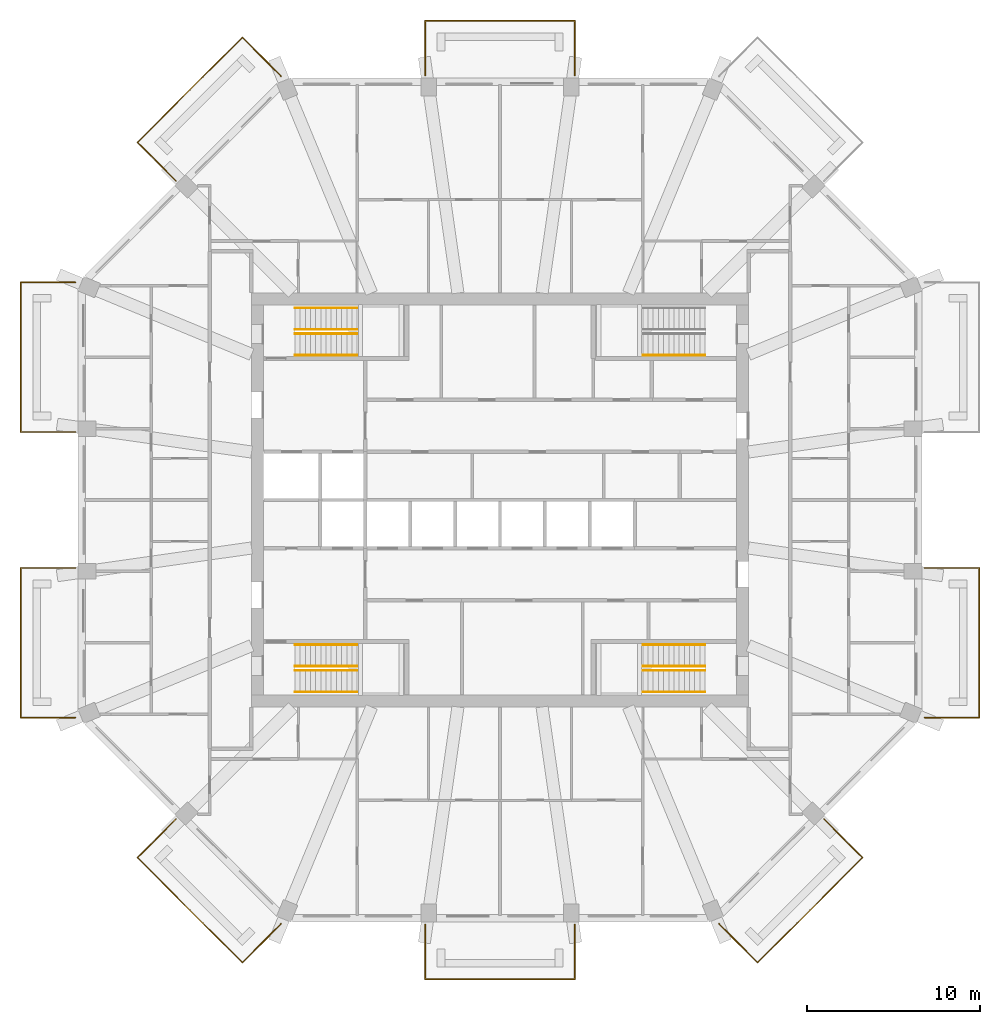
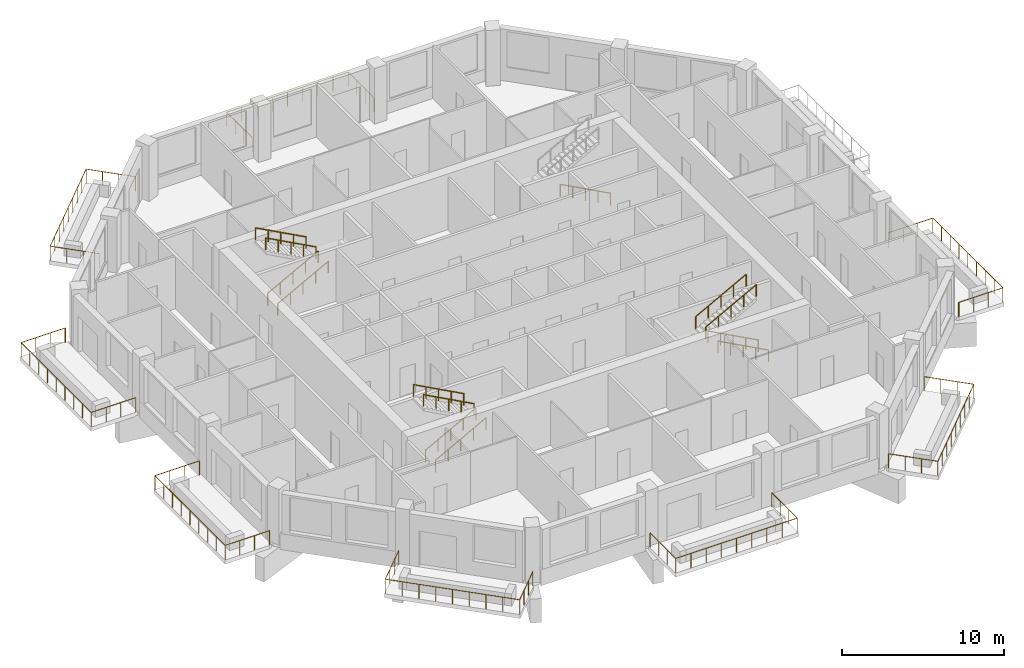
# One storey, part 11 of 12: 21 railings.
"""IFC4 building model written with IfcOpenShell, lengths in metres."""

from ifc_helpers import new_model, si_unit, direction, frame, origin, origin_2d, place, context, subcontext, project, spatial, circle, extrude, material, constituent, constituent_set, type_object, element, save


model = new_model("IFC4")

# Units and contexts
model_context = context("Model", 3, precision=1e-05, world=origin(), true_north=direction((0.0, 1.0)))
body_context = subcontext(model_context, "Body", "Model", "MODEL_VIEW")
ifc_project = project(units=[si_unit("LENGTHUNIT", "METRE"), si_unit("AREAUNIT", "SQUARE_METRE"), si_unit("VOLUMEUNIT", "CUBIC_METRE"), si_unit("PLANEANGLEUNIT", "RADIAN"), si_unit("MASSUNIT", "GRAM", prefix="KILO")], contexts=[model_context])

# Site, building, storey
site_placement = place(None, origin())
site = spatial("IfcSite", under=ifc_project, at=site_placement, CompositionType="ELEMENT")
building_placement = place(site_placement, origin())
building = spatial("IfcBuilding", under=site, at=building_placement, Name="Msitu Wima Residences", CompositionType="ELEMENT")
storey_placement = place(building_placement, frame((0.0, 0.0, 162.300048828125)))
storey = spatial("IfcBuildingStorey", under=building, at=storey_placement, Name="L37", CompositionType="ELEMENT", Elevation=162.300048828125)

# Railings
ifc_material_1 = material(Name="Steel S355", Category="steel")
ifc_constituent_1 = constituent(ifc_material_1, Name="Steel S355")
ifc_material_2 = material(Name="Weathering patina")
ifc_constituent_2 = constituent(ifc_material_2, Name="Weathering patina")
ifc_constituent_set_1 = constituent_set(constituents=[ifc_constituent_1, ifc_constituent_2], Name="Steel S355")
railing_type_1 = type_object("IfcRailingType", Name="Balcony guard GR1100", PredefinedType="GUARDRAIL", material=ifc_constituent_set_1)
railing_1_placement = place(storey_placement, frame((24.580078125, -3.937255859375, 0.0)))
element("IfcRailing", 1, at=railing_1_placement, inside=storey, type_object=railing_type_1, Name="Balcony guard E0 L37", PredefinedType="GUARDRAIL", context=body_context, shape_type="SweptSolid", body=[
    extrude(circle(Radius=0.02392578125, at=origin_2d()), frame((0.0, 0.0, 1.076171875), z_axis=(1.0, 0.0, 0.0), x_axis=(0.0, 1.0, 0.0)), (0.0, 0.0, 1.0), 3.169921875),
    extrude(circle(Radius=0.02392578125, at=origin_2d()), frame((3.169921875, 0.0, 1.076171875), z_axis=(0.0, -1.0, 0.0), x_axis=(1.0, 0.0, 0.0)), (0.0, 0.0, 1.0), 8.674560546875),
    extrude(circle(Radius=0.02392578125, at=origin_2d()), frame((3.169921875, -8.674560546875, 1.076171875), z_axis=(-1.0, 0.0, 0.0), x_axis=(0.0, -1.0, 0.0)), (0.0, 0.0, 1.0), 3.136474609375),
    extrude(circle(Radius=0.02392578125, at=origin_2d()), frame((0.033447265625, -8.674560546875, 1.076171875), z_axis=(-0.923276184907, 0.384136806859, 0.0), x_axis=(-0.384136806859, -0.923276184907, 0.0)), (0.0, 0.0, 1.0), 0.0361328125),
    extrude(circle(Radius=0.02099609375, at=origin_2d()), origin(), (0.0, 0.0, 1.0), 1.052001953125),
    extrude(circle(Radius=0.02099609375, at=origin_2d()), frame((1.056640625, 0.0, 0.0)), (0.0, 0.0, 1.0), 1.052001953125),
    extrude(circle(Radius=0.02099609375, at=origin_2d()), frame((2.11328125, 0.0, 0.0)), (0.0, 0.0, 1.0), 1.052001953125),
    extrude(circle(Radius=0.02099609375, at=origin_2d()), frame((3.169921875, 0.0, 0.0)), (0.0, 0.0, 1.0), 1.052001953125),
    extrude(circle(Radius=0.02099609375, at=origin_2d()), frame((3.169921875, -1.084228515625, 0.0)), (0.0, 0.0, 1.0), 1.052001953125),
    extrude(circle(Radius=0.02099609375, at=origin_2d()), frame((3.169921875, -2.168701171875, 0.0)), (0.0, 0.0, 1.0), 1.052001953125),
    extrude(circle(Radius=0.02099609375, at=origin_2d()), frame((3.169921875, -3.2529296875, 0.0)), (0.0, 0.0, 1.0), 1.052001953125),
    extrude(circle(Radius=0.02099609375, at=origin_2d()), frame((3.169921875, -4.33740234375, 0.0)), (0.0, 0.0, 1.0), 1.052001953125),
    extrude(circle(Radius=0.02099609375, at=origin_2d()), frame((3.169921875, -5.421630859375, 0.0)), (0.0, 0.0, 1.0), 1.052001953125),
    extrude(circle(Radius=0.02099609375, at=origin_2d()), frame((3.169921875, -6.505859375, 0.0)), (0.0, 0.0, 1.0), 1.052001953125),
    extrude(circle(Radius=0.02099609375, at=origin_2d()), frame((3.169921875, -7.59033203125, 0.0)), (0.0, 0.0, 1.0), 1.052001953125),
    extrude(circle(Radius=0.02099609375, at=origin_2d()), frame((3.169921875, -8.674560546875, 0.0)), (0.0, 0.0, 1.0), 1.052001953125),
    extrude(circle(Radius=0.02099609375, at=origin_2d()), frame((2.12451171875, -8.674560546875, 0.0)), (0.0, 0.0, 1.0), 1.052001953125),
    extrude(circle(Radius=0.02099609375, at=origin_2d()), frame((1.078857421875, -8.674560546875, 0.0)), (0.0, 0.0, 1.0), 1.052001953125),
    extrude(circle(Radius=0.02099609375, at=origin_2d()), frame((0.033447265625, -8.674560546875, 0.0)), (0.0, 0.0, 1.0), 1.052001953125),
    extrude(circle(Radius=0.02099609375, at=origin_2d()), frame((0.0, -8.66064453125, 0.0)), (0.0, 0.0, 1.0), 1.052001953125),
])
railing_2_placement = place(storey_placement, frame((-4.337158203125, 24.580078125, 0.0)))
element("IfcRailing", 2, at=railing_2_placement, inside=storey, type_object=railing_type_1, Name="Balcony guard N1 L37", PredefinedType="GUARDRAIL", context=body_context, shape_type="SweptSolid", body=[
    extrude(circle(Radius=0.02392578125, at=origin_2d()), frame((0.0, 0.0, 1.076171875), z_axis=(0.0, 1.0, 0.0), x_axis=(-1.0, 0.0, 0.0)), (0.0, 0.0, 1.0), 3.169921875),
    extrude(circle(Radius=0.02392578125, at=origin_2d()), frame((0.0, 3.169921875, 1.076171875), z_axis=(1.0, 0.0, 0.0), x_axis=(0.0, 1.0, 0.0)), (0.0, 0.0, 1.0), 8.67431640625),
    extrude(circle(Radius=0.02392578125, at=origin_2d()), frame((8.67431640625, 3.169921875, 1.076171875), z_axis=(0.0, -1.0, 0.0), x_axis=(1.0, 0.0, 0.0)), (0.0, 0.0, 1.0), 3.169921875),
    extrude(circle(Radius=0.02099609375, at=origin_2d()), origin(), (0.0, 0.0, 1.0), 1.052001953125),
    extrude(circle(Radius=0.02099609375, at=origin_2d()), frame((0.0, 1.056640625, 0.0)), (0.0, 0.0, 1.0), 1.052001953125),
    extrude(circle(Radius=0.02099609375, at=origin_2d()), frame((0.0, 2.11328125, 0.0)), (0.0, 0.0, 1.0), 1.052001953125),
    extrude(circle(Radius=0.02099609375, at=origin_2d()), frame((0.0, 3.169921875, 0.0)), (0.0, 0.0, 1.0), 1.052001953125),
    extrude(circle(Radius=0.02099609375, at=origin_2d()), frame((1.084228515625, 3.169921875, 0.0)), (0.0, 0.0, 1.0), 1.052001953125),
    extrude(circle(Radius=0.02099609375, at=origin_2d()), frame((2.16845703125, 3.169921875, 0.0)), (0.0, 0.0, 1.0), 1.052001953125),
    extrude(circle(Radius=0.02099609375, at=origin_2d()), frame((3.2529296875, 3.169921875, 0.0)), (0.0, 0.0, 1.0), 1.052001953125),
    extrude(circle(Radius=0.02099609375, at=origin_2d()), frame((4.337158203125, 3.169921875, 0.0)), (0.0, 0.0, 1.0), 1.052001953125),
    extrude(circle(Radius=0.02099609375, at=origin_2d()), frame((5.42138671875, 3.169921875, 0.0)), (0.0, 0.0, 1.0), 1.052001953125),
    extrude(circle(Radius=0.02099609375, at=origin_2d()), frame((6.505859375, 3.169921875, 0.0)), (0.0, 0.0, 1.0), 1.052001953125),
    extrude(circle(Radius=0.02099609375, at=origin_2d()), frame((7.590087890625, 3.169921875, 0.0)), (0.0, 0.0, 1.0), 1.052001953125),
    extrude(circle(Radius=0.02099609375, at=origin_2d()), frame((8.67431640625, 3.169921875, 0.0)), (0.0, 0.0, 1.0), 1.052001953125),
    extrude(circle(Radius=0.02099609375, at=origin_2d()), frame((8.67431640625, 2.11328125, 0.0)), (0.0, 0.0, 1.0), 1.052001953125),
    extrude(circle(Radius=0.02099609375, at=origin_2d()), frame((8.67431640625, 1.056640625, 0.0)), (0.0, 0.0, 1.0), 1.052001953125),
    extrude(circle(Radius=0.02099609375, at=origin_2d()), frame((8.67431640625, 0.0, 0.0)), (0.0, 0.0, 1.0), 1.052001953125),
])
railing_3_placement = place(storey_placement, frame((-18.75732421875, 18.474609375, 0.0)))
element("IfcRailing", 3, at=railing_3_placement, inside=storey, type_object=railing_type_1, Name="Balcony guard NW0 L37", PredefinedType="GUARDRAIL", context=body_context, shape_type="SweptSolid", body=[
    extrude(circle(Radius=0.02392578125, at=origin_2d()), frame((0.0, 0.0, 1.076171875), z_axis=(-0.707145287287, 0.707068272989, 0.0), x_axis=(-0.707068272989, -0.707145287287, 0.0)), (0.0, 0.0, 1.0), 3.170166015625),
    extrude(circle(Radius=0.02392578125, at=origin_2d()), frame((-2.24169921875, 2.241455078125, 1.076171875), z_axis=(0.707106781187, 0.707106781187, 0.0), x_axis=(-0.707106781187, 0.707106781187, 0.0)), (0.0, 0.0, 1.0), 8.593994140625),
    extrude(circle(Radius=0.02392578125, at=origin_2d()), frame((3.835205078125, 8.318359375, 1.076171875), z_axis=(0.707145698426, -0.707067861805, 0.0), x_axis=(0.707067861805, 0.707145698426, 0.0)), (0.0, 0.0, 1.0), 3.136474609375),
    extrude(circle(Radius=0.02392578125, at=origin_2d()), frame((6.05322265625, 6.1005859375, 1.076171875), z_axis=(0.384136806859, -0.923276184907, 0.0), x_axis=(0.923276184907, 0.384136806859, 0.0)), (0.0, 0.0, 1.0), 0.0361328125),
    extrude(circle(Radius=0.02099609375, at=origin_2d()), origin(), (0.0, 0.0, 1.0), 1.052001953125),
    extrude(circle(Radius=0.02099609375, at=origin_2d()), frame((-0.747314453125, 0.7470703125, 0.0)), (0.0, 0.0, 1.0), 1.052001953125),
    extrude(circle(Radius=0.02099609375, at=origin_2d()), frame((-1.494384765625, 1.494384765625, 0.0)), (0.0, 0.0, 1.0), 1.052001953125),
    extrude(circle(Radius=0.02099609375, at=origin_2d()), frame((-2.24169921875, 2.241455078125, 0.0)), (0.0, 0.0, 1.0), 1.052001953125),
    extrude(circle(Radius=0.02099609375, at=origin_2d()), frame((-1.482177734375, 3.0009765625, 0.0)), (0.0, 0.0, 1.0), 1.052001953125),
    extrude(circle(Radius=0.02099609375, at=origin_2d()), frame((-0.722412109375, 3.7607421875, 0.0)), (0.0, 0.0, 1.0), 1.052001953125),
    extrude(circle(Radius=0.02099609375, at=origin_2d()), frame((0.037109375, 4.520263671875, 0.0)), (0.0, 0.0, 1.0), 1.052001953125),
    extrude(circle(Radius=0.02099609375, at=origin_2d()), frame((0.796875, 5.27978515625, 0.0)), (0.0, 0.0, 1.0), 1.052001953125),
    extrude(circle(Radius=0.02099609375, at=origin_2d()), frame((1.556396484375, 6.03955078125, 0.0)), (0.0, 0.0, 1.0), 1.052001953125),
    extrude(circle(Radius=0.02099609375, at=origin_2d()), frame((2.31591796875, 6.799072265625, 0.0)), (0.0, 0.0, 1.0), 1.052001953125),
    extrude(circle(Radius=0.02099609375, at=origin_2d()), frame((3.07568359375, 7.558837890625, 0.0)), (0.0, 0.0, 1.0), 1.052001953125),
    extrude(circle(Radius=0.02099609375, at=origin_2d()), frame((3.835205078125, 8.318359375, 0.0)), (0.0, 0.0, 1.0), 1.052001953125),
    extrude(circle(Radius=0.02099609375, at=origin_2d()), frame((4.574462890625, 7.5791015625, 0.0)), (0.0, 0.0, 1.0), 1.052001953125),
    extrude(circle(Radius=0.02099609375, at=origin_2d()), frame((5.31396484375, 6.83984375, 0.0)), (0.0, 0.0, 1.0), 1.052001953125),
    extrude(circle(Radius=0.02099609375, at=origin_2d()), frame((6.05322265625, 6.1005859375, 0.0)), (0.0, 0.0, 1.0), 1.052001953125),
    extrude(circle(Radius=0.02099609375, at=origin_2d()), frame((6.067138671875, 6.067138671875, 0.0)), (0.0, 0.0, 1.0), 1.052001953125),
])
railing_4_placement = place(storey_placement, frame((-24.580078125, 3.937255859375, 0.0)))
element("IfcRailing", 4, at=railing_4_placement, inside=storey, type_object=railing_type_1, Name="Balcony guard W0 L37", PredefinedType="GUARDRAIL", context=body_context, shape_type="SweptSolid", body=[
    extrude(circle(Radius=0.02392578125, at=origin_2d()), frame((0.0, 0.0, 1.076171875), z_axis=(-1.0, 0.0, 0.0), x_axis=(0.0, -1.0, 0.0)), (0.0, 0.0, 1.0), 3.169921875),
    extrude(circle(Radius=0.02392578125, at=origin_2d()), frame((-3.169921875, 0.0, 1.076171875), z_axis=(0.0, 1.0, 0.0), x_axis=(-1.0, 0.0, 0.0)), (0.0, 0.0, 1.0), 8.674560546875),
    extrude(circle(Radius=0.02392578125, at=origin_2d()), frame((-3.169921875, 8.674560546875, 1.076171875), z_axis=(1.0, 0.0, 0.0), x_axis=(0.0, 1.0, 0.0)), (0.0, 0.0, 1.0), 3.136474609375),
    extrude(circle(Radius=0.02392578125, at=origin_2d()), frame((-0.033447265625, 8.674560546875, 1.076171875), z_axis=(0.923276184907, -0.384136806859, 0.0), x_axis=(0.384136806859, 0.923276184907, 0.0)), (0.0, 0.0, 1.0), 0.0361328125),
    extrude(circle(Radius=0.02099609375, at=origin_2d()), origin(), (0.0, 0.0, 1.0), 1.052001953125),
    extrude(circle(Radius=0.02099609375, at=origin_2d()), frame((-1.056640625, 0.0, 0.0)), (0.0, 0.0, 1.0), 1.052001953125),
    extrude(circle(Radius=0.02099609375, at=origin_2d()), frame((-2.11328125, 0.0, 0.0)), (0.0, 0.0, 1.0), 1.052001953125),
    extrude(circle(Radius=0.02099609375, at=origin_2d()), frame((-3.169921875, 0.0, 0.0)), (0.0, 0.0, 1.0), 1.052001953125),
    extrude(circle(Radius=0.02099609375, at=origin_2d()), frame((-3.169921875, 1.084228515625, 0.0)), (0.0, 0.0, 1.0), 1.052001953125),
    extrude(circle(Radius=0.02099609375, at=origin_2d()), frame((-3.169921875, 2.168701171875, 0.0)), (0.0, 0.0, 1.0), 1.052001953125),
    extrude(circle(Radius=0.02099609375, at=origin_2d()), frame((-3.169921875, 3.2529296875, 0.0)), (0.0, 0.0, 1.0), 1.052001953125),
    extrude(circle(Radius=0.02099609375, at=origin_2d()), frame((-3.169921875, 4.33740234375, 0.0)), (0.0, 0.0, 1.0), 1.052001953125),
    extrude(circle(Radius=0.02099609375, at=origin_2d()), frame((-3.169921875, 5.421630859375, 0.0)), (0.0, 0.0, 1.0), 1.052001953125),
    extrude(circle(Radius=0.02099609375, at=origin_2d()), frame((-3.169921875, 6.505859375, 0.0)), (0.0, 0.0, 1.0), 1.052001953125),
    extrude(circle(Radius=0.02099609375, at=origin_2d()), frame((-3.169921875, 7.59033203125, 0.0)), (0.0, 0.0, 1.0), 1.052001953125),
    extrude(circle(Radius=0.02099609375, at=origin_2d()), frame((-3.169921875, 8.674560546875, 0.0)), (0.0, 0.0, 1.0), 1.052001953125),
    extrude(circle(Radius=0.02099609375, at=origin_2d()), frame((-2.12451171875, 8.674560546875, 0.0)), (0.0, 0.0, 1.0), 1.052001953125),
    extrude(circle(Radius=0.02099609375, at=origin_2d()), frame((-1.078857421875, 8.674560546875, 0.0)), (0.0, 0.0, 1.0), 1.052001953125),
    extrude(circle(Radius=0.02099609375, at=origin_2d()), frame((-0.033447265625, 8.674560546875, 0.0)), (0.0, 0.0, 1.0), 1.052001953125),
    extrude(circle(Radius=0.02099609375, at=origin_2d()), frame((0.0, 8.66064453125, 0.0)), (0.0, 0.0, 1.0), 1.052001953125),
])
railing_5_placement = place(storey_placement, frame((-24.580078125, -12.597900390625, 0.0)))
element("IfcRailing", 5, at=railing_5_placement, inside=storey, type_object=railing_type_1, Name="Balcony guard W2 L37", PredefinedType="GUARDRAIL", context=body_context, shape_type="SweptSolid", body=[
    extrude(circle(Radius=0.02392578125, at=origin_2d()), frame((0.0, 0.0, 1.076171875), z_axis=(-0.923276184907, -0.384136806859, 0.0), x_axis=(0.384136806859, -0.923276184907, 0.0)), (0.0, 0.0, 1.0), 0.0361328125),
    extrude(circle(Radius=0.02392578125, at=origin_2d()), frame((-0.033447265625, -0.013916015625, 1.076171875), z_axis=(-1.0, 0.0, 0.0), x_axis=(0.0, -1.0, 0.0)), (0.0, 0.0, 1.0), 3.136474609375),
    extrude(circle(Radius=0.02392578125, at=origin_2d()), frame((-3.169921875, -0.013916015625, 1.076171875), z_axis=(0.0, 1.0, 0.0), x_axis=(-1.0, 0.0, 0.0)), (0.0, 0.0, 1.0), 8.674560546875),
    extrude(circle(Radius=0.02392578125, at=origin_2d()), frame((-3.169921875, 8.66064453125, 1.076171875), z_axis=(1.0, 0.0, 0.0), x_axis=(0.0, 1.0, 0.0)), (0.0, 0.0, 1.0), 3.169921875),
    extrude(circle(Radius=0.02099609375, at=origin_2d()), origin(), (0.0, 0.0, 1.0), 1.052001953125),
    extrude(circle(Radius=0.02099609375, at=origin_2d()), frame((-0.033447265625, -0.013916015625, 0.0)), (0.0, 0.0, 1.0), 1.052001953125),
    extrude(circle(Radius=0.02099609375, at=origin_2d()), frame((-1.078857421875, -0.013916015625, 0.0)), (0.0, 0.0, 1.0), 1.052001953125),
    extrude(circle(Radius=0.02099609375, at=origin_2d()), frame((-2.12451171875, -0.013916015625, 0.0)), (0.0, 0.0, 1.0), 1.052001953125),
    extrude(circle(Radius=0.02099609375, at=origin_2d()), frame((-3.169921875, -0.013916015625, 0.0)), (0.0, 0.0, 1.0), 1.052001953125),
    extrude(circle(Radius=0.02099609375, at=origin_2d()), frame((-3.169921875, 1.0703125, 0.0)), (0.0, 0.0, 1.0), 1.052001953125),
    extrude(circle(Radius=0.02099609375, at=origin_2d()), frame((-3.169921875, 2.15478515625, 0.0)), (0.0, 0.0, 1.0), 1.052001953125),
    extrude(circle(Radius=0.02099609375, at=origin_2d()), frame((-3.169921875, 3.239013671875, 0.0)), (0.0, 0.0, 1.0), 1.052001953125),
    extrude(circle(Radius=0.02099609375, at=origin_2d()), frame((-3.169921875, 4.3232421875, 0.0)), (0.0, 0.0, 1.0), 1.052001953125),
    extrude(circle(Radius=0.02099609375, at=origin_2d()), frame((-3.169921875, 5.40771484375, 0.0)), (0.0, 0.0, 1.0), 1.052001953125),
    extrude(circle(Radius=0.02099609375, at=origin_2d()), frame((-3.169921875, 6.491943359375, 0.0)), (0.0, 0.0, 1.0), 1.052001953125),
    extrude(circle(Radius=0.02099609375, at=origin_2d()), frame((-3.169921875, 7.576416015625, 0.0)), (0.0, 0.0, 1.0), 1.052001953125),
    extrude(circle(Radius=0.02099609375, at=origin_2d()), frame((-3.169921875, 8.66064453125, 0.0)), (0.0, 0.0, 1.0), 1.052001953125),
    extrude(circle(Radius=0.02099609375, at=origin_2d()), frame((-2.11328125, 8.66064453125, 0.0)), (0.0, 0.0, 1.0), 1.052001953125),
    extrude(circle(Radius=0.02099609375, at=origin_2d()), frame((-1.056640625, 8.66064453125, 0.0)), (0.0, 0.0, 1.0), 1.052001953125),
    extrude(circle(Radius=0.02099609375, at=origin_2d()), frame((0.0, 8.66064453125, 0.0)), (0.0, 0.0, 1.0), 1.052001953125),
])
railing_6_placement = place(storey_placement, frame((-12.690185546875, -24.541748046875, 0.0)))
element("IfcRailing", 6, at=railing_6_placement, inside=storey, type_object=railing_type_1, Name="Balcony guard SW1 L37", PredefinedType="GUARDRAIL", context=body_context, shape_type="SweptSolid", body=[
    extrude(circle(Radius=0.02392578125, at=origin_2d()), frame((0.0, 0.0, 1.076171875), z_axis=(-0.384136806859, -0.923276184907, 0.0), x_axis=(0.923276184907, -0.384136806859, 0.0)), (0.0, 0.0, 1.0), 0.0361328125),
    extrude(circle(Radius=0.02392578125, at=origin_2d()), frame((-0.013916015625, -0.033447265625, 1.076171875), z_axis=(-0.707145698426, -0.707067861805, 0.0), x_axis=(0.707067861805, -0.707145698426, 0.0)), (0.0, 0.0, 1.0), 3.136474609375),
    extrude(circle(Radius=0.02392578125, at=origin_2d()), frame((-2.23193359375, -2.251220703125, 1.076171875), z_axis=(-0.707106781187, 0.707106781187, 0.0), x_axis=(-0.707106781187, -0.707106781187, 0.0)), (0.0, 0.0, 1.0), 8.593994140625),
    extrude(circle(Radius=0.02392578125, at=origin_2d()), frame((-8.308837890625, 3.82568359375, 1.076171875), z_axis=(0.707145287287, 0.707068272989, 0.0), x_axis=(-0.707068272989, 0.707145287287, 0.0)), (0.0, 0.0, 1.0), 3.170166015625),
    extrude(circle(Radius=0.02099609375, at=origin_2d()), origin(), (0.0, 0.0, 1.0), 1.052001953125),
    extrude(circle(Radius=0.02099609375, at=origin_2d()), frame((-0.013916015625, -0.033447265625, 0.0)), (0.0, 0.0, 1.0), 1.052001953125),
    extrude(circle(Radius=0.02099609375, at=origin_2d()), frame((-0.753173828125, -0.772705078125, 0.0)), (0.0, 0.0, 1.0), 1.052001953125),
    extrude(circle(Radius=0.02099609375, at=origin_2d()), frame((-1.49267578125, -1.511962890625, 0.0)), (0.0, 0.0, 1.0), 1.052001953125),
    extrude(circle(Radius=0.02099609375, at=origin_2d()), frame((-2.23193359375, -2.251220703125, 0.0)), (0.0, 0.0, 1.0), 1.052001953125),
    extrude(circle(Radius=0.02099609375, at=origin_2d()), frame((-2.991455078125, -1.49169921875, 0.0)), (0.0, 0.0, 1.0), 1.052001953125),
    extrude(circle(Radius=0.02099609375, at=origin_2d()), frame((-3.751220703125, -0.73193359375, 0.0)), (0.0, 0.0, 1.0), 1.052001953125),
    extrude(circle(Radius=0.02099609375, at=origin_2d()), frame((-4.5107421875, 0.027587890625, 0.0)), (0.0, 0.0, 1.0), 1.052001953125),
    extrude(circle(Radius=0.02099609375, at=origin_2d()), frame((-5.2705078125, 0.787109375, 0.0)), (0.0, 0.0, 1.0), 1.052001953125),
    extrude(circle(Radius=0.02099609375, at=origin_2d()), frame((-6.030029296875, 1.546875, 0.0)), (0.0, 0.0, 1.0), 1.052001953125),
    extrude(circle(Radius=0.02099609375, at=origin_2d()), frame((-6.78955078125, 2.306396484375, 0.0)), (0.0, 0.0, 1.0), 1.052001953125),
    extrude(circle(Radius=0.02099609375, at=origin_2d()), frame((-7.54931640625, 3.066162109375, 0.0)), (0.0, 0.0, 1.0), 1.052001953125),
    extrude(circle(Radius=0.02099609375, at=origin_2d()), frame((-8.308837890625, 3.82568359375, 0.0)), (0.0, 0.0, 1.0), 1.052001953125),
    extrude(circle(Radius=0.02099609375, at=origin_2d()), frame((-7.5615234375, 4.57275390625, 0.0)), (0.0, 0.0, 1.0), 1.052001953125),
    extrude(circle(Radius=0.02099609375, at=origin_2d()), frame((-6.814453125, 5.320068359375, 0.0)), (0.0, 0.0, 1.0), 1.052001953125),
    extrude(circle(Radius=0.02099609375, at=origin_2d()), frame((-6.067138671875, 6.067138671875, 0.0)), (0.0, 0.0, 1.0), 1.052001953125),
])
railing_7_placement = place(storey_placement, frame((4.337158203125, -24.580078125, 0.0)))
element("IfcRailing", 7, at=railing_7_placement, inside=storey, type_object=railing_type_1, Name="Balcony guard S1 L37", PredefinedType="GUARDRAIL", context=body_context, shape_type="SweptSolid", body=[
    extrude(circle(Radius=0.02392578125, at=origin_2d()), frame((0.0, 0.0, 1.076171875), z_axis=(0.0, -1.0, 0.0), x_axis=(1.0, 0.0, 0.0)), (0.0, 0.0, 1.0), 3.169921875),
    extrude(circle(Radius=0.02392578125, at=origin_2d()), frame((0.0, -3.169921875, 1.076171875), z_axis=(-1.0, 0.0, 0.0), x_axis=(0.0, -1.0, 0.0)), (0.0, 0.0, 1.0), 8.67431640625),
    extrude(circle(Radius=0.02392578125, at=origin_2d()), frame((-8.67431640625, -3.169921875, 1.076171875), z_axis=(0.0, 1.0, 0.0), x_axis=(-1.0, 0.0, 0.0)), (0.0, 0.0, 1.0), 3.169921875),
    extrude(circle(Radius=0.02099609375, at=origin_2d()), origin(), (0.0, 0.0, 1.0), 1.052001953125),
    extrude(circle(Radius=0.02099609375, at=origin_2d()), frame((0.0, -1.056640625, 0.0)), (0.0, 0.0, 1.0), 1.052001953125),
    extrude(circle(Radius=0.02099609375, at=origin_2d()), frame((0.0, -2.11328125, 0.0)), (0.0, 0.0, 1.0), 1.052001953125),
    extrude(circle(Radius=0.02099609375, at=origin_2d()), frame((0.0, -3.169921875, 0.0)), (0.0, 0.0, 1.0), 1.052001953125),
    extrude(circle(Radius=0.02099609375, at=origin_2d()), frame((-1.084228515625, -3.169921875, 0.0)), (0.0, 0.0, 1.0), 1.052001953125),
    extrude(circle(Radius=0.02099609375, at=origin_2d()), frame((-2.16845703125, -3.169921875, 0.0)), (0.0, 0.0, 1.0), 1.052001953125),
    extrude(circle(Radius=0.02099609375, at=origin_2d()), frame((-3.2529296875, -3.169921875, 0.0)), (0.0, 0.0, 1.0), 1.052001953125),
    extrude(circle(Radius=0.02099609375, at=origin_2d()), frame((-4.337158203125, -3.169921875, 0.0)), (0.0, 0.0, 1.0), 1.052001953125),
    extrude(circle(Radius=0.02099609375, at=origin_2d()), frame((-5.42138671875, -3.169921875, 0.0)), (0.0, 0.0, 1.0), 1.052001953125),
    extrude(circle(Radius=0.02099609375, at=origin_2d()), frame((-6.505859375, -3.169921875, 0.0)), (0.0, 0.0, 1.0), 1.052001953125),
    extrude(circle(Radius=0.02099609375, at=origin_2d()), frame((-7.590087890625, -3.169921875, 0.0)), (0.0, 0.0, 1.0), 1.052001953125),
    extrude(circle(Radius=0.02099609375, at=origin_2d()), frame((-8.67431640625, -3.169921875, 0.0)), (0.0, 0.0, 1.0), 1.052001953125),
    extrude(circle(Radius=0.02099609375, at=origin_2d()), frame((-8.67431640625, -2.11328125, 0.0)), (0.0, 0.0, 1.0), 1.052001953125),
    extrude(circle(Radius=0.02099609375, at=origin_2d()), frame((-8.67431640625, -1.056640625, 0.0)), (0.0, 0.0, 1.0), 1.052001953125),
    extrude(circle(Radius=0.02099609375, at=origin_2d()), frame((-8.67431640625, 0.0, 0.0)), (0.0, 0.0, 1.0), 1.052001953125),
])
railing_8_placement = place(storey_placement, frame((18.75732421875, -18.474609375, 0.0)))
element("IfcRailing", 8, at=railing_8_placement, inside=storey, type_object=railing_type_1, Name="Balcony guard SE0 L37", PredefinedType="GUARDRAIL", context=body_context, shape_type="SweptSolid", body=[
    extrude(circle(Radius=0.02392578125, at=origin_2d()), frame((0.0, 0.0, 1.076171875), z_axis=(0.707145287287, -0.707068272989, 0.0), x_axis=(0.707068272989, 0.707145287287, 0.0)), (0.0, 0.0, 1.0), 3.170166015625),
    extrude(circle(Radius=0.02392578125, at=origin_2d()), frame((2.24169921875, -2.241455078125, 1.076171875), z_axis=(-0.707106781187, -0.707106781187, 0.0), x_axis=(0.707106781187, -0.707106781187, 0.0)), (0.0, 0.0, 1.0), 8.593994140625),
    extrude(circle(Radius=0.02392578125, at=origin_2d()), frame((-3.835205078125, -8.318359375, 1.076171875), z_axis=(-0.707145698426, 0.707067861805, 0.0), x_axis=(-0.707067861805, -0.707145698426, 0.0)), (0.0, 0.0, 1.0), 3.136474609375),
    extrude(circle(Radius=0.02392578125, at=origin_2d()), frame((-6.05322265625, -6.1005859375, 1.076171875), z_axis=(-0.384136806859, 0.923276184907, 0.0), x_axis=(-0.923276184907, -0.384136806859, 0.0)), (0.0, 0.0, 1.0), 0.0361328125),
    extrude(circle(Radius=0.02099609375, at=origin_2d()), origin(), (0.0, 0.0, 1.0), 1.052001953125),
    extrude(circle(Radius=0.02099609375, at=origin_2d()), frame((0.747314453125, -0.7470703125, 0.0)), (0.0, 0.0, 1.0), 1.052001953125),
    extrude(circle(Radius=0.02099609375, at=origin_2d()), frame((1.494384765625, -1.494384765625, 0.0)), (0.0, 0.0, 1.0), 1.052001953125),
    extrude(circle(Radius=0.02099609375, at=origin_2d()), frame((2.24169921875, -2.241455078125, 0.0)), (0.0, 0.0, 1.0), 1.052001953125),
    extrude(circle(Radius=0.02099609375, at=origin_2d()), frame((1.482177734375, -3.0009765625, 0.0)), (0.0, 0.0, 1.0), 1.052001953125),
    extrude(circle(Radius=0.02099609375, at=origin_2d()), frame((0.722412109375, -3.7607421875, 0.0)), (0.0, 0.0, 1.0), 1.052001953125),
    extrude(circle(Radius=0.02099609375, at=origin_2d()), frame((-0.037109375, -4.520263671875, 0.0)), (0.0, 0.0, 1.0), 1.052001953125),
    extrude(circle(Radius=0.02099609375, at=origin_2d()), frame((-0.796875, -5.27978515625, 0.0)), (0.0, 0.0, 1.0), 1.052001953125),
    extrude(circle(Radius=0.02099609375, at=origin_2d()), frame((-1.556396484375, -6.03955078125, 0.0)), (0.0, 0.0, 1.0), 1.052001953125),
    extrude(circle(Radius=0.02099609375, at=origin_2d()), frame((-2.31591796875, -6.799072265625, 0.0)), (0.0, 0.0, 1.0), 1.052001953125),
    extrude(circle(Radius=0.02099609375, at=origin_2d()), frame((-3.07568359375, -7.558837890625, 0.0)), (0.0, 0.0, 1.0), 1.052001953125),
    extrude(circle(Radius=0.02099609375, at=origin_2d()), frame((-3.835205078125, -8.318359375, 0.0)), (0.0, 0.0, 1.0), 1.052001953125),
    extrude(circle(Radius=0.02099609375, at=origin_2d()), frame((-4.574462890625, -7.5791015625, 0.0)), (0.0, 0.0, 1.0), 1.052001953125),
    extrude(circle(Radius=0.02099609375, at=origin_2d()), frame((-5.31396484375, -6.83984375, 0.0)), (0.0, 0.0, 1.0), 1.052001953125),
    extrude(circle(Radius=0.02099609375, at=origin_2d()), frame((-6.05322265625, -6.1005859375, 0.0)), (0.0, 0.0, 1.0), 1.052001953125),
    extrude(circle(Radius=0.02099609375, at=origin_2d()), frame((-6.067138671875, -6.067138671875, 0.0)), (0.0, 0.0, 1.0), 1.052001953125),
])
ifc_constituent_3 = constituent(ifc_material_1, Name="Steel S355")
ifc_material_3 = material(Name="Black powder coating")
ifc_constituent_4 = constituent(ifc_material_3, Name="Black powder coating")
ifc_constituent_set_2 = constituent_set(constituents=[ifc_constituent_3, ifc_constituent_4], Name="Steel S355")
railing_type_2 = type_object("IfcRailingType", Name="Stair handrail HR1", PredefinedType="HANDRAIL", material=ifc_constituent_set_2)
for number, where, name in (
    (9, (-11.875, 8.375, 0.161376953125), "Stair 1 handrail"),
    (10, (-11.875, 9.625, 0.161376953125), "Stair 1 handrail"),
):
    element("IfcRailing", number, at=place(storey_placement, frame(where)), inside=storey, type_object=railing_type_2, Name=name, PredefinedType="HANDRAIL", context=body_context, shape_type="SweptSolid", body=[
        extrude(circle(Radius=0.02392578125, at=origin_2d()), frame((0.0, 0.0, 0.8759765625), z_axis=(0.880474934443, 0.0, 0.474092701714), x_axis=(0.0, 1.0, 0.0)), (0.0, 0.0, 1.0), 4.0888671875),
        extrude(circle(Radius=0.02099609375, at=origin_2d()), origin(), (0.0, 0.0, 1.0), 0.851806640625),
        extrude(circle(Radius=0.02099609375, at=origin_2d()), frame((0.89990234375, 0.0, 0.484619140625)), (0.0, 0.0, 1.0), 0.851806640625),
        extrude(circle(Radius=0.02099609375, at=origin_2d()), frame((1.800048828125, 0.0, 0.96923828125)), (0.0, 0.0, 1.0), 0.851806640625),
        extrude(circle(Radius=0.02099609375, at=origin_2d()), frame((2.7001953125, 0.0, 1.453857421875)), (0.0, 0.0, 1.0), 0.851806640625),
        extrude(circle(Radius=0.02099609375, at=origin_2d()), frame((3.60009765625, 0.0, 1.9384765625)), (0.0, 0.0, 1.0), 0.851806640625),
    ])
for number, where, name in (
    (11, (-8.27490234375, 9.875, 2.261474609375), "Stair 1 handrail"),
    (12, (-8.27490234375, 11.125, 2.261474609375), "Stair 1 handrail"),
):
    element("IfcRailing", number, at=place(storey_placement, frame(where)), inside=storey, type_object=railing_type_2, Name=name, PredefinedType="HANDRAIL", context=body_context, shape_type="SweptSolid", body=[
        extrude(circle(Radius=0.02392578125, at=origin_2d()), frame((0.0, 0.0, 0.8759765625), z_axis=(-0.880474934443, 0.0, 0.474092701714), x_axis=(0.0, -1.0, 0.0)), (0.0, 0.0, 1.0), 4.0888671875),
        extrude(circle(Radius=0.02099609375, at=origin_2d()), origin(), (0.0, 0.0, 1.0), 0.851806640625),
        extrude(circle(Radius=0.02099609375, at=origin_2d()), frame((-0.89990234375, 0.0, 0.484619140625)), (0.0, 0.0, 1.0), 0.851806640625),
        extrude(circle(Radius=0.02099609375, at=origin_2d()), frame((-1.800048828125, 0.0, 0.96923828125)), (0.0, 0.0, 1.0), 0.851806640625),
        extrude(circle(Radius=0.02099609375, at=origin_2d()), frame((-2.7001953125, 0.0, 1.453857421875)), (0.0, 0.0, 1.0), 0.851806640625),
        extrude(circle(Radius=0.02099609375, at=origin_2d()), frame((-3.60009765625, 0.0, 1.9384765625)), (0.0, 0.0, 1.0), 0.851806640625),
    ])
for number, where, name in (
    (13, (-11.875, -11.125, 0.161376953125), "Stair 2 handrail"),
    (14, (-11.875, -9.875, 0.161376953125), "Stair 2 handrail"),
):
    element("IfcRailing", number, at=place(storey_placement, frame(where)), inside=storey, type_object=railing_type_2, Name=name, PredefinedType="HANDRAIL", context=body_context, shape_type="SweptSolid", body=[
        extrude(circle(Radius=0.02392578125, at=origin_2d()), frame((0.0, 0.0, 0.8759765625), z_axis=(0.880474934443, 0.0, 0.474092701714), x_axis=(0.0, 1.0, 0.0)), (0.0, 0.0, 1.0), 4.0888671875),
        extrude(circle(Radius=0.02099609375, at=origin_2d()), origin(), (0.0, 0.0, 1.0), 0.851806640625),
        extrude(circle(Radius=0.02099609375, at=origin_2d()), frame((0.89990234375, 0.0, 0.484619140625)), (0.0, 0.0, 1.0), 0.851806640625),
        extrude(circle(Radius=0.02099609375, at=origin_2d()), frame((1.800048828125, 0.0, 0.96923828125)), (0.0, 0.0, 1.0), 0.851806640625),
        extrude(circle(Radius=0.02099609375, at=origin_2d()), frame((2.7001953125, 0.0, 1.453857421875)), (0.0, 0.0, 1.0), 0.851806640625),
        extrude(circle(Radius=0.02099609375, at=origin_2d()), frame((3.60009765625, 0.0, 1.9384765625)), (0.0, 0.0, 1.0), 0.851806640625),
    ])
for number, where, name in (
    (15, (-8.27490234375, -9.625, 2.261474609375), "Stair 2 handrail"),
    (16, (-8.27490234375, -8.375, 2.261474609375), "Stair 2 handrail"),
    (17, (11.875, 8.375, 0.161376953125), "Stair 3 handrail"),
    (18, (11.875, -11.125, 0.161376953125), "Stair 4 handrail"),
    (19, (11.875, -9.875, 0.161376953125), "Stair 4 handrail"),
):
    element("IfcRailing", number, at=place(storey_placement, frame(where)), inside=storey, type_object=railing_type_2, Name=name, PredefinedType="HANDRAIL", context=body_context, shape_type="SweptSolid", body=[
        extrude(circle(Radius=0.02392578125, at=origin_2d()), frame((0.0, 0.0, 0.8759765625), z_axis=(-0.880474934443, 0.0, 0.474092701714), x_axis=(0.0, -1.0, 0.0)), (0.0, 0.0, 1.0), 4.0888671875),
        extrude(circle(Radius=0.02099609375, at=origin_2d()), origin(), (0.0, 0.0, 1.0), 0.851806640625),
        extrude(circle(Radius=0.02099609375, at=origin_2d()), frame((-0.89990234375, 0.0, 0.484619140625)), (0.0, 0.0, 1.0), 0.851806640625),
        extrude(circle(Radius=0.02099609375, at=origin_2d()), frame((-1.800048828125, 0.0, 0.96923828125)), (0.0, 0.0, 1.0), 0.851806640625),
        extrude(circle(Radius=0.02099609375, at=origin_2d()), frame((-2.7001953125, 0.0, 1.453857421875)), (0.0, 0.0, 1.0), 0.851806640625),
        extrude(circle(Radius=0.02099609375, at=origin_2d()), frame((-3.60009765625, 0.0, 1.9384765625)), (0.0, 0.0, 1.0), 0.851806640625),
    ])
for number, where, name in (
    (20, (8.27490234375, -9.625, 2.261474609375), "Stair 4 handrail"),
    (21, (8.27490234375, -8.375, 2.261474609375), "Stair 4 handrail"),
):
    element("IfcRailing", number, at=place(storey_placement, frame(where)), inside=storey, type_object=railing_type_2, Name=name, PredefinedType="HANDRAIL", context=body_context, shape_type="SweptSolid", body=[
        extrude(circle(Radius=0.02392578125, at=origin_2d()), frame((0.0, 0.0, 0.8759765625), z_axis=(0.880474934443, 0.0, 0.474092701714), x_axis=(0.0, 1.0, 0.0)), (0.0, 0.0, 1.0), 4.0888671875),
        extrude(circle(Radius=0.02099609375, at=origin_2d()), origin(), (0.0, 0.0, 1.0), 0.851806640625),
        extrude(circle(Radius=0.02099609375, at=origin_2d()), frame((0.89990234375, 0.0, 0.484619140625)), (0.0, 0.0, 1.0), 0.851806640625),
        extrude(circle(Radius=0.02099609375, at=origin_2d()), frame((1.800048828125, 0.0, 0.96923828125)), (0.0, 0.0, 1.0), 0.851806640625),
        extrude(circle(Radius=0.02099609375, at=origin_2d()), frame((2.7001953125, 0.0, 1.453857421875)), (0.0, 0.0, 1.0), 0.851806640625),
        extrude(circle(Radius=0.02099609375, at=origin_2d()), frame((3.60009765625, 0.0, 1.9384765625)), (0.0, 0.0, 1.0), 0.851806640625),
    ])

save(model, "model.ifc")
